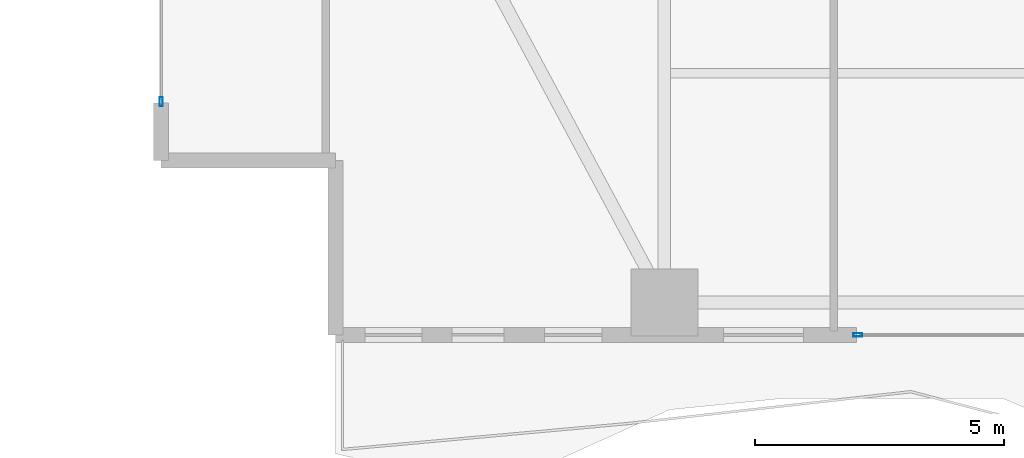
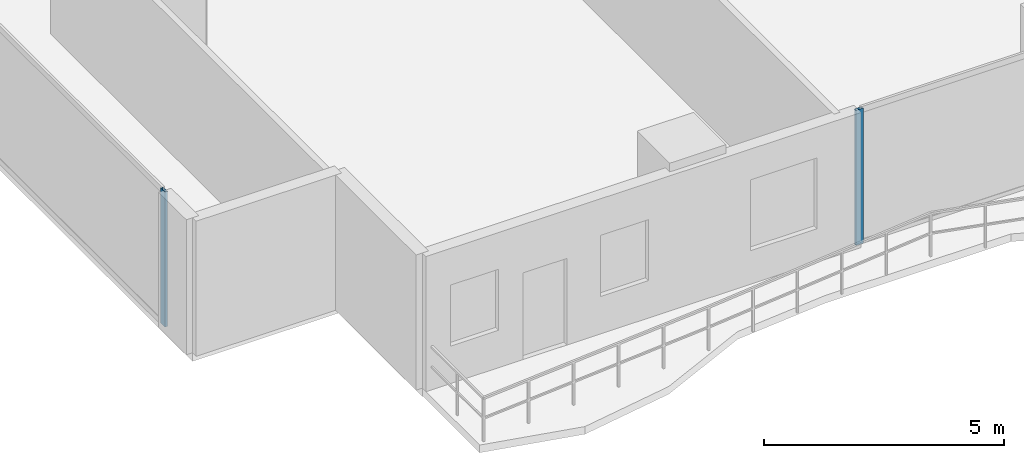
# One storey, part 2 of 29: 2 members, 2 elements without a shape of their own.
"""IFC4 building model written with IfcOpenShell, lengths in metres."""

from ifc_helpers import new_model, si_unit, direction, frame, origin, origin_2d, place, context, subcontext, project, spatial, hollow_rectangle, extrude, material, layer, layer_set, material_profile, profile_set, type_object, element, aggregate, save


model = new_model("IFC4")

# Units and contexts
model_context = context("Model", 3, precision=1e-05, world=origin(), true_north=direction((0.0, 1.0)))
body_context = subcontext(model_context, "Body", "Model", "MODEL_VIEW")
ifc_project = project(units=[si_unit("LENGTHUNIT", "METRE"), si_unit("AREAUNIT", "SQUARE_METRE"), si_unit("VOLUMEUNIT", "CUBIC_METRE"), si_unit("PLANEANGLEUNIT", "RADIAN"), si_unit("MASSUNIT", "GRAM", prefix="KILO")], contexts=[model_context])

# Site, building, storey
site_placement = place(None, origin())
site = spatial("IfcSite", under=ifc_project, at=site_placement, CompositionType="ELEMENT")
building_placement = place(site_placement, origin())
building = spatial("IfcBuilding", under=site, at=building_placement, Name="Zuhayl Quay Hotel", CompositionType="ELEMENT")
storey_placement = place(building_placement, frame((0.0, 0.0, 132.14990234375)))
storey = spatial("IfcBuildingStorey", under=building, at=storey_placement, Name="L33", CompositionType="ELEMENT", Elevation=132.14990234375)

# Curtain wall, member
ifc_material_1 = material(Name="Anodised Aluminium 6063-T6", Category="aluminium")
ifc_layer = layer(ifc_material_1, 0.179931640625, Name="Anodised Aluminium 6063-T6", Category="aluminium")
ifc_layer_set = layer_set([ifc_layer], Name="Anodised Aluminium 6063-T6")
curtain_wall_type = type_object("IfcCurtainWallType", Name="CW_SYS_Z2", PredefinedType="USERDEFINED", material=ifc_layer_set)
curtain_wall_1_placement = place(storey_placement, origin())
curtain_wall_1 = element("IfcCurtainWall", 1, at=curtain_wall_1_placement, inside=storey, type_object=curtain_wall_type, Name="L33 Curtain Wall ENV_L33_E02_CW1", ObjectType="UNITISED CURTAIN WALL", PredefinedType="USERDEFINED")
ifc_material_2 = material(Name="Black-anodised aluminium 6063-T6", Category="aluminium")
ifc_material_profile = material_profile(ifc_material_2, hollow_rectangle(XDim=0.06494140625, YDim=0.179931640625, WallThickness=0.00341796875, at=origin_2d()), Name="ALU180X65")
ifc_profile_set = profile_set([ifc_material_profile], Name="Black-anodised aluminium 6063-T6")
member_type = type_object("IfcMemberType", Name="MB_CW_MUL_180", PredefinedType="MULLION", material=ifc_profile_set)
member_1_placement = place(storey_placement, frame((-23.89990234375, -10.717529296875, 0.0), z_axis=(0.0, 0.0, 1.0), x_axis=(-1.0, 0.0, 0.0)))
member_1 = element("IfcMember", 2, at=member_1_placement, type_object=member_type, Name="CW-Z2 mullion 1", PredefinedType="MULLION", context=body_context, shape_type="SweptSolid", body=[
    extrude(hollow_rectangle(XDim=0.06494140625, YDim=0.179931640625, WallThickness=0.00341796875, at=origin_2d()), origin(), (0.0, 0.0, 1.0), 3.43017578125),
])
aggregate(curtain_wall_1, [member_1])

curtain_wall_2_placement = place(storey_placement, origin())
curtain_wall_2 = element("IfcCurtainWall", 3, at=curtain_wall_2_placement, inside=storey, type_object=curtain_wall_type, Name="L33 Curtain Wall ENV_L33_S_CW5", ObjectType="UNITISED CURTAIN WALL", PredefinedType="USERDEFINED")
member_2_placement = place(storey_placement, frame((-9.91748046875, -15.39990234375, 0.0), z_axis=(0.0, 0.0, 1.0), x_axis=(0.0, -1.0, 0.0)))
member_2 = element("IfcMember", 4, at=member_2_placement, type_object=member_type, Name="CW-Z2 mullion 2", PredefinedType="MULLION", context=body_context, shape_type="SweptSolid", body=[
    extrude(hollow_rectangle(XDim=0.06494140625, YDim=0.179931640625, WallThickness=0.00341796875, at=origin_2d()), origin(), (0.0, 0.0, 1.0), 3.43017578125),
])
aggregate(curtain_wall_2, [member_2])

save(model, "model.ifc")
